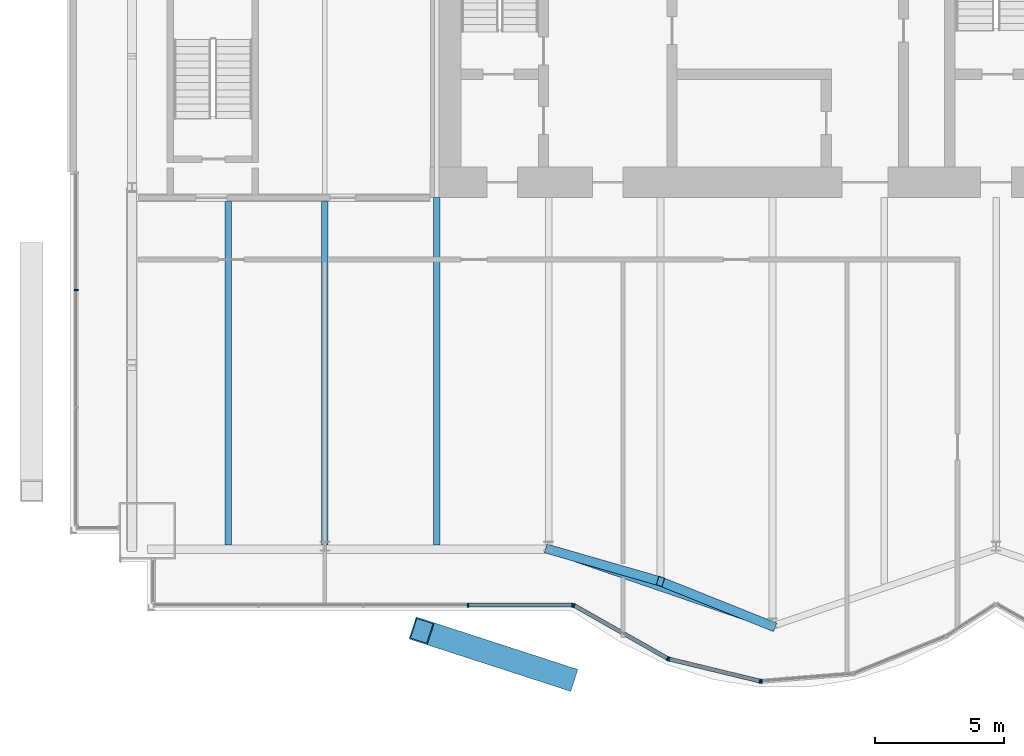
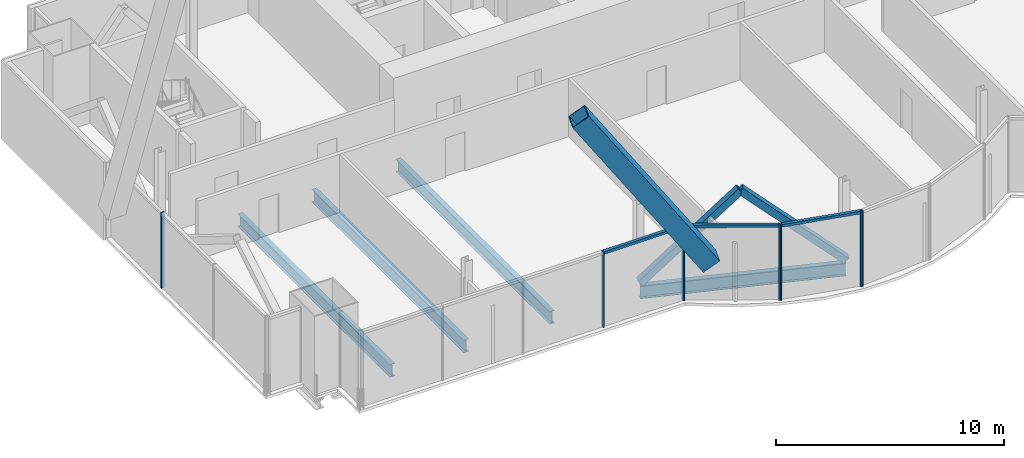
# One storey, part 7 of 23: 14 members, 4 beams, 3 elements without a shape of their own.
"""IFC4 building model written with IfcOpenShell, lengths in metres."""

from ifc_helpers import new_model, si_unit, direction, frame, origin, origin_2d, place, context, subcontext, project, spatial, rectangle, hollow_rectangle, i_section, extrude, material, material_profile, profile_set, type_object, element, aggregate, save


model = new_model("IFC4")

# Units and contexts
model_context = context("Model", 3, precision=1e-05, world=origin(), true_north=direction((0.0, 1.0)))
body_context = subcontext(model_context, "Body", "Model", "MODEL_VIEW")
ifc_project = project(units=[si_unit("LENGTHUNIT", "METRE"), si_unit("AREAUNIT", "SQUARE_METRE"), si_unit("VOLUMEUNIT", "CUBIC_METRE"), si_unit("PLANEANGLEUNIT", "RADIAN"), si_unit("MASSUNIT", "GRAM", prefix="KILO")], contexts=[model_context])

# Site, building, storey
site_placement = place(None, origin())
site = spatial("IfcSite", under=ifc_project, at=site_placement, CompositionType="ELEMENT")
building_placement = place(site_placement, origin())
building = spatial("IfcBuilding", under=site, at=building_placement, Name="Bicima Exchange Tower", CompositionType="ELEMENT")
storey_placement = place(building_placement, frame((0.0, 0.0, 262.39990234375)))
storey = spatial("IfcBuildingStorey", under=building, at=storey_placement, Name="L59", CompositionType="ELEMENT", Elevation=262.39990234375)

# Curtain wall, member
ifc_material_1 = material(Name="Anodised bronze aluminium", Category="aluminium")
curtain_wall_type_1 = type_object("IfcCurtainWallType", Name="End face glass wall", PredefinedType="NOTDEFINED", material=ifc_material_1)
curtain_wall_1_placement = place(storey_placement, origin())
curtain_wall_1 = element("IfcCurtainWall", 1, at=curtain_wall_1_placement, inside=storey, type_object=curtain_wall_type_1, Name="End face glass wall L59 run 2", PredefinedType="NOTDEFINED")
ifc_material_profile_1 = material_profile(ifc_material_1, rectangle(XDim=0.159912109375, YDim=0.06005859375, at=origin_2d()))
ifc_profile_set_1 = profile_set([ifc_material_profile_1], Name="Anodised bronze aluminium")
member_type_1 = type_object("IfcMemberType", Name="End face glass wall mullion 60 x 160", PredefinedType="MULLION", material=ifc_profile_set_1)
member_1_placement = place(storey_placement, frame((-35.77001953125, -16.595947265625, 0.0), z_axis=(0.0, 0.0, 1.0), x_axis=(1.0, 0.0, 0.0)))
member_1 = element("IfcMember", 2, at=member_1_placement, type_object=member_type_1, Name="End face glass wall mullion 2", PredefinedType="MULLION", context=body_context, shape_type="SweptSolid", body=[
    extrude(rectangle(XDim=0.159912109375, YDim=0.06005859375, at=origin_2d()), origin(), (0.0, 0.0, 1.0), 4.050048828125),
])
aggregate(curtain_wall_1, [member_1])

# Member
ifc_material_2 = material(Name="Steel ASTM A572 Gr 50", Category="steel")
ifc_material_profile_2 = material_profile(ifc_material_2, hollow_rectangle(XDim=0.89990234375, YDim=0.89990234375, WallThickness=0.050048828125, at=origin_2d()))
ifc_profile_set_2 = profile_set([ifc_material_profile_2], Name="Steel ASTM A572 Gr 50")
member_type_2 = type_object("IfcMemberType", Name="Exo mega brace BOX 900x900x50", PredefinedType="BRACE", material=ifc_profile_set_2)
member_2_placement = place(storey_placement, frame((-16.75, -31.65380859375, 3.900146484375), z_axis=(-0.536222959163, 0.174028020592, 0.825941393875), x_axis=(-0.308693875239, -0.951161443389, 0.0)))
element("IfcMember", 3, at=member_2_placement, inside=storey, type_object=member_type_2, Name="Exo mega brace front", PredefinedType="BRACE", context=body_context, shape_type="SweptSolid", body=[
    extrude(hollow_rectangle(XDim=0.89990234375, YDim=0.89990234375, WallThickness=0.050048828125, at=origin_2d()), origin(), (0.0, 0.0, 1.0), 10.412109375),
])

# Beams
ifc_material_3 = material(Name="Steel ASTM A992 Gr 50", Category="steel")
ifc_material_profile_3 = material_profile(ifc_material_3, i_section(OverallWidth=0.25390625, OverallDepth=0.67822265625, WebThickness=0.01171875, FlangeThickness=0.016357421875, at=origin_2d()))
ifc_profile_set_3 = profile_set([ifc_material_profile_3], Name="Steel ASTM A992 Gr 50")
beam_type_1 = type_object("IfcBeamType", Name="Floor beam W27x84", PredefinedType="JOIST", material=ifc_profile_set_3)
for number, where, z_axis, x_axis, name in (
    (4, (-29.85009765625, -13.15234375, -0.489013671875), (0.0, -1.0, 0.0), (1.0, 0.0, 0.0), "Floor beam"),
    (5, (-26.10009765625, -13.15234375, -0.489013671875), (0.0, -1.0, 0.0), (1.0, 0.0, 0.0), "Floor beam"),
):
    element("IfcBeam", number, at=place(storey_placement, frame(where, z_axis=z_axis, x_axis=x_axis)), inside=storey, type_object=beam_type_1, Name=name, PredefinedType="JOIST", context=body_context, shape_type="SweptSolid", body=[
        extrude(i_section(OverallWidth=0.25390625, OverallDepth=0.67822265625, WebThickness=0.01171875, FlangeThickness=0.016357421875, at=origin_2d()), origin(), (0.0, 0.0, 1.0), 13.35302734375),
    ])
beam_1_placement = place(storey_placement, frame((-21.75, -13.0, -0.489013671875), z_axis=(0.0, -1.0, 0.0), x_axis=(1.0, 0.0, 0.0)))
element("IfcBeam", 6, at=beam_1_placement, inside=storey, type_object=beam_type_1, Name="Floor beam", PredefinedType="JOIST", context=body_context, shape_type="SweptSolid", body=[
    extrude(i_section(OverallWidth=0.25390625, OverallDepth=0.67822265625, WebThickness=0.01171875, FlangeThickness=0.016357421875, at=origin_2d()), origin(), (0.0, 0.0, 1.0), 13.50537109375),
])
ifc_material_profile_4 = material_profile(ifc_material_3, i_section(OverallWidth=0.256591796875, OverallDepth=0.693359375, WebThickness=0.014404296875, FlangeThickness=0.023681640625, at=origin_2d()))
ifc_profile_set_4 = profile_set([ifc_material_profile_4], Name="Steel ASTM A992 Gr 50")
beam_type_2 = type_object("IfcBeamType", Name="Front girder W27x114", PredefinedType="BEAM", material=ifc_profile_set_4)
beam_2_placement = place(storey_placement, frame((-17.39990234375, -26.66796875, -0.49658203125), z_axis=(0.945666456746, -0.325138359143, 0.0), x_axis=(0.325138359143, 0.945666456746, 0.0)))
element("IfcBeam", 7, at=beam_2_placement, inside=storey, type_object=beam_type_2, Name="Front girder", PredefinedType="BEAM", context=body_context, shape_type="SweptSolid", body=[
    extrude(i_section(OverallWidth=0.256591796875, OverallDepth=0.693359375, WebThickness=0.014404296875, FlangeThickness=0.023681640625, at=origin_2d()), origin(), (0.0, 0.0, 1.0), 9.19970703125),
])

# Curtain wall, members
curtain_wall_type_2 = type_object("IfcCurtainWallType", Name="Front glass wall", PredefinedType="NOTDEFINED", material=ifc_material_1)
curtain_wall_2_placement = place(storey_placement, origin())
curtain_wall_2 = element("IfcCurtainWall", 8, at=curtain_wall_2_placement, inside=storey, type_object=curtain_wall_type_2, Name="Front glass wall L59 run 5", PredefinedType="NOTDEFINED")
member_type_3 = type_object("IfcMemberType", Name="Front glass wall mullion 60 x 160", PredefinedType="MULLION", material=ifc_profile_set_1)
member_3_placement = place(storey_placement, frame((-20.531494140625, -28.837890625, 0.0), z_axis=(0.0, 0.0, 1.0), x_axis=(0.0, 1.0, 0.0)))
member_3 = element("IfcMember", 9, at=member_3_placement, type_object=member_type_3, Name="Front glass wall mullion 4", PredefinedType="MULLION", context=body_context, shape_type="SweptSolid", body=[
    extrude(rectangle(XDim=0.159912109375, YDim=0.06005859375, at=origin_2d()), origin(), (0.0, 0.0, 1.0), 4.050048828125),
])
member_4_placement = place(storey_placement, frame((-16.462158203125, -28.837890625, 0.0), z_axis=(0.0, 0.0, 1.0), x_axis=(0.0, 1.0, 0.0)))
member_4 = element("IfcMember", 10, at=member_4_placement, type_object=member_type_3, Name="Front glass wall mullion 5", PredefinedType="MULLION", context=body_context, shape_type="SweptSolid", body=[
    extrude(rectangle(XDim=0.159912109375, YDim=0.06005859375, at=origin_2d()), origin(), (0.0, 0.0, 1.0), 4.050048828125),
])

curtain_wall_3_placement = place(storey_placement, origin())
curtain_wall_3 = element("IfcCurtainWall", 11, at=curtain_wall_3_placement, inside=storey, type_object=curtain_wall_type_2, Name="Front glass wall L59 run 6", PredefinedType="NOTDEFINED")
member_5_placement = place(storey_placement, frame((-16.406005859375, -28.852783203125, 0.0), z_axis=(0.0, 0.0, 1.0), x_axis=(0.493395449343, 0.869805110681, 0.0)))
member_5 = element("IfcMember", 12, at=member_5_placement, type_object=member_type_3, Name="Front glass wall mullion 1", PredefinedType="MULLION", context=body_context, shape_type="SweptSolid", body=[
    extrude(rectangle(XDim=0.159912109375, YDim=0.06005859375, at=origin_2d()), origin(), (0.0, 0.0, 1.0), 4.050048828125),
])
member_6_placement = place(storey_placement, frame((-12.7734375, -30.913330078125, 0.0), z_axis=(0.0, 0.0, 1.0), x_axis=(0.493395449343, 0.869805110681, 0.0)))
member_6 = element("IfcMember", 13, at=member_6_placement, type_object=member_type_3, Name="Front glass wall mullion 2", PredefinedType="MULLION", context=body_context, shape_type="SweptSolid", body=[
    extrude(rectangle(XDim=0.159912109375, YDim=0.06005859375, at=origin_2d()), origin(), (0.0, 0.0, 1.0), 4.050048828125),
])
member_7_placement = place(storey_placement, frame((-12.718017578125, -30.935302734375, 0.0), z_axis=(0.0, 0.0, 1.0), x_axis=(0.235681529503, 0.971830343553, 0.0)))
member_7 = element("IfcMember", 14, at=member_7_placement, type_object=member_type_3, Name="Front glass wall mullion 1", PredefinedType="MULLION", context=body_context, shape_type="SweptSolid", body=[
    extrude(rectangle(XDim=0.159912109375, YDim=0.06005859375, at=origin_2d()), origin(), (0.0, 0.0, 1.0), 4.050048828125),
])
member_8_placement = place(storey_placement, frame((-9.177490234375, -31.7939453125, 0.0), z_axis=(0.0, 0.0, 1.0), x_axis=(0.235681529503, 0.971830343553, 0.0)))
member_8 = element("IfcMember", 15, at=member_8_placement, type_object=member_type_3, Name="Front glass wall mullion 2", PredefinedType="MULLION", context=body_context, shape_type="SweptSolid", body=[
    extrude(rectangle(XDim=0.159912109375, YDim=0.06005859375, at=origin_2d()), origin(), (0.0, 0.0, 1.0), 4.050048828125),
])
member_9_placement = place(storey_placement, frame((-9.118408203125, -31.798583984375, 0.0), z_axis=(0.0, 0.0, 1.0), x_axis=(-0.080588612633, 0.99674744821, 0.0)))
member_9 = element("IfcMember", 16, at=member_9_placement, type_object=member_type_3, Name="Front glass wall mullion 1", PredefinedType="MULLION", context=body_context, shape_type="SweptSolid", body=[
    extrude(rectangle(XDim=0.159912109375, YDim=0.06005859375, at=origin_2d()), origin(), (0.0, 0.0, 1.0), 4.050048828125),
])

# Member
ifc_material_profile_5 = material_profile(ifc_material_1, rectangle(XDim=0.159912109375, YDim=0.139892578125, at=origin_2d()))
ifc_profile_set_5 = profile_set([ifc_material_profile_5], Name="Anodised bronze aluminium")
member_type_4 = type_object("IfcMemberType", Name="Front glass wall transom 140 x 160", PredefinedType="USERDEFINED", material=ifc_profile_set_5)
member_10_placement = place(storey_placement, frame((-20.501708984375, -28.837890625, 3.97998046875), z_axis=(1.0, 0.0, 0.0), x_axis=(0.0, 1.0, 0.0)))
member_10 = element("IfcMember", 17, at=member_10_placement, type_object=member_type_4, Name="Front glass wall transom 4.1", ObjectType="TRANSOM", PredefinedType="USERDEFINED", context=body_context, shape_type="SweptSolid", body=[
    extrude(rectangle(XDim=0.159912109375, YDim=0.139892578125, at=origin_2d()), origin(), (0.0, 0.0, 1.0), 4.009521484375),
])

aggregate(curtain_wall_2, [member_3, member_4, member_10])

member_11_placement = place(storey_placement, frame((-16.3798828125, -28.86767578125, 3.97998046875), z_axis=(0.869797371721, -0.49340909208, 0.0), x_axis=(0.49340909208, 0.869797371721, 0.0)))
member_11 = element("IfcMember", 18, at=member_11_placement, type_object=member_type_4, Name="Front glass wall transom 1.1", ObjectType="TRANSOM", PredefinedType="USERDEFINED", context=body_context, shape_type="SweptSolid", body=[
    extrude(rectangle(XDim=0.159912109375, YDim=0.139892578125, at=origin_2d()), origin(), (0.0, 0.0, 1.0), 4.1162109375),
])

member_12_placement = place(storey_placement, frame((-12.68896484375, -30.9423828125, 3.97998046875), z_axis=(0.971833557815, -0.235668275132, 0.0), x_axis=(0.235668275132, 0.971833557815, 0.0)))
member_12 = element("IfcMember", 19, at=member_12_placement, type_object=member_type_4, Name="Front glass wall transom 1.1", ObjectType="TRANSOM", PredefinedType="USERDEFINED", context=body_context, shape_type="SweptSolid", body=[
    extrude(rectangle(XDim=0.159912109375, YDim=0.139892578125, at=origin_2d()), origin(), (0.0, 0.0, 1.0), 3.583251953125),
])

aggregate(curtain_wall_3, [member_5, member_6, member_11, member_7, member_8, member_12, member_9])

# Members
ifc_material_profile_6 = material_profile(ifc_material_2, hollow_rectangle(XDim=0.355712890625, YDim=0.355712890625, WallThickness=0.0146484375, at=origin_2d()))
ifc_profile_set_6 = profile_set([ifc_material_profile_6], Name="Steel ASTM A572 Gr 50")
member_type_5 = type_object("IfcMemberType", Name="Mega brace HSS14x14x5/8", PredefinedType="BRACE", material=ifc_profile_set_6)
member_13_placement = place(storey_placement, frame((-17.39990234375, -26.66796875, 0.0), z_axis=(0.704444447846, -0.20267060895, 0.680207794844), x_axis=(0.27648739579, 0.961017544049, 0.0)))
element("IfcMember", 20, at=member_13_placement, inside=storey, type_object=member_type_5, Name="Mega brace front", PredefinedType="BRACE", context=body_context, shape_type="SweptSolid", body=[
    extrude(hollow_rectangle(XDim=0.355712890625, YDim=0.355712890625, WallThickness=0.0146484375, at=origin_2d()), origin(), (0.0, 0.0, 1.0), 6.1748046875),
])
member_14_placement = place(storey_placement, frame((-8.699951171875, -29.6591796875, 0.0), z_axis=(-0.691348292549, 0.276492756353, 0.667524751656), x_axis=(-0.3713367687, -0.928498252132, 0.0)))
element("IfcMember", 21, at=member_14_placement, inside=storey, type_object=member_type_5, Name="Mega brace front", PredefinedType="BRACE", context=body_context, shape_type="SweptSolid", body=[
    extrude(hollow_rectangle(XDim=0.355712890625, YDim=0.355712890625, WallThickness=0.0146484375, at=origin_2d()), origin(), (0.0, 0.0, 1.0), 6.292236328125),
])

save(model, "model.ifc")
